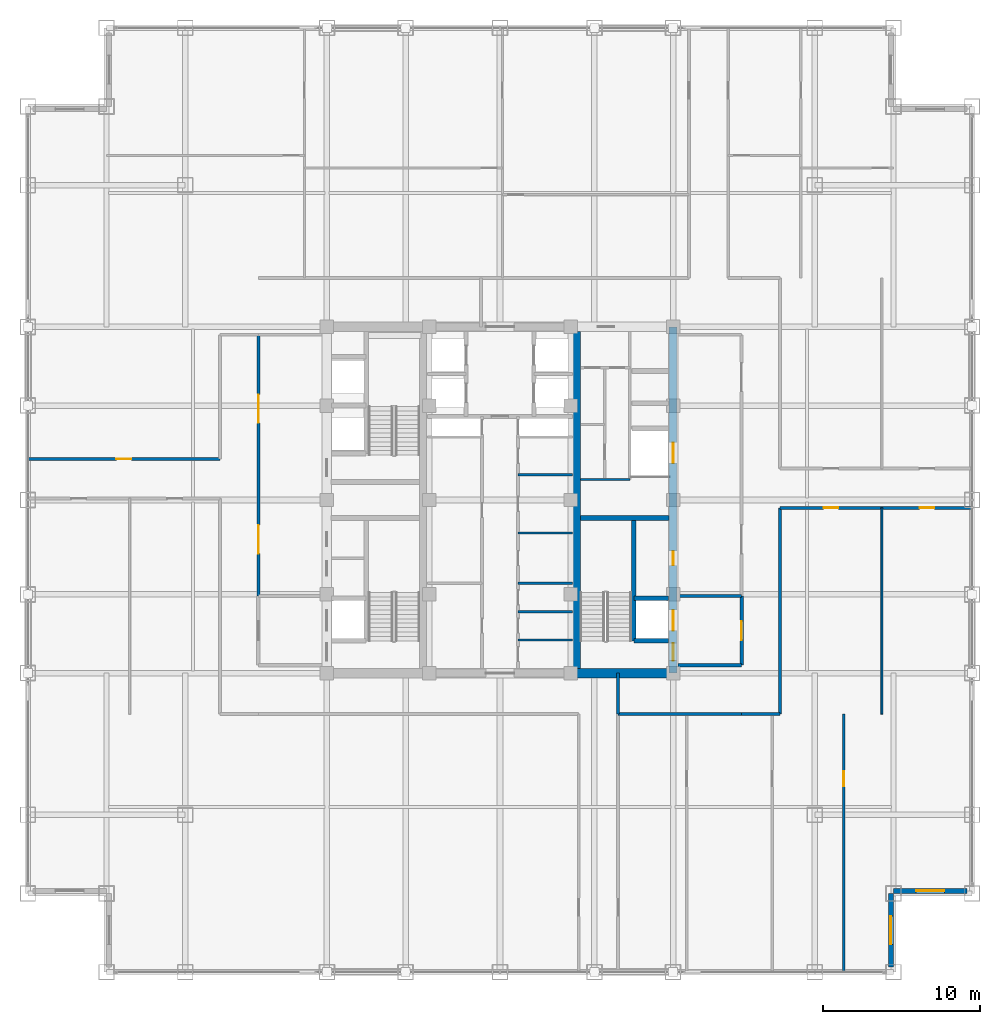
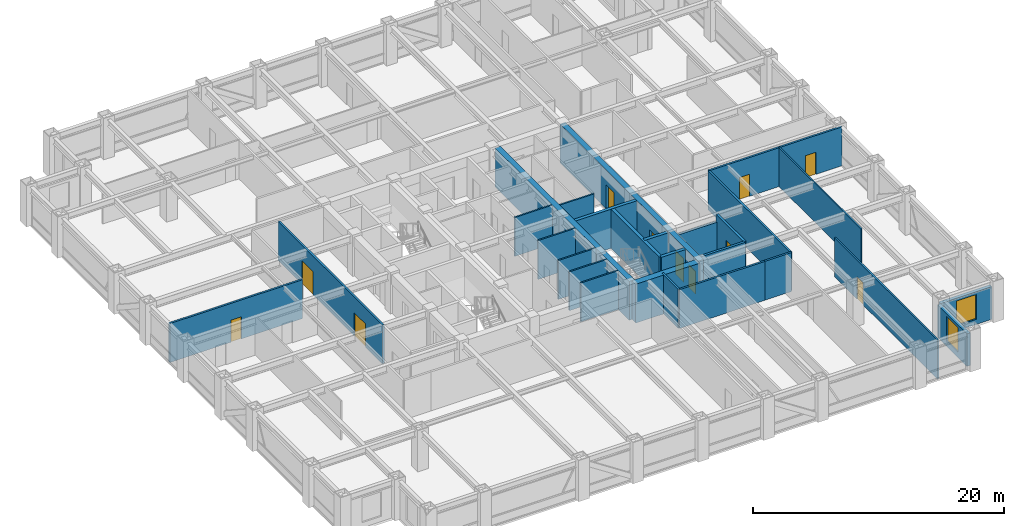
# One storey, part 21 of 25: 27 walls, 11 doors, 2 windows, 13 openings.
"""IFC4 building model written with IfcOpenShell, lengths in metres."""

import ifcopenshell
import ifcopenshell.guid

model = None  # the IFC model being written
_history = None  # IfcOwnerHistory: only IFC2X3 demands one
_inside = {}  # id of a spatial element -> (the spatial element, [elements in it])
_under = {}  # id of a project, library or spatial element -> (it, [spatial elements below it])
_declared = {}  # id of a project -> (the project, [libraries it declares])
_typed = {}  # id of a type object -> (the type object, [elements of that type])
_made_of = {}  # id of a material, layer set ... -> (it, [elements and type objects made of it])


def new_model(schema):
    """Start an empty IFC model of exactly this schema.

    Asked for "IFC4X3", IfcOpenShell would pick the latest addendum, in which some entities
    have other attributes; the version numbers below select the first issue.
    IFC2X3 requires an IfcOwnerHistory on every rooted entity: one is made here for all.
    """
    global model, _history
    if schema == "IFC4X3":
        model = ifcopenshell.file(schema_version=(4, 3, 0, 0))
    else:
        model = ifcopenshell.file(schema=schema)
    _inside.clear()
    _under.clear()
    _declared.clear()
    _typed.clear()
    _made_of.clear()
    _history = None
    if model.schema == "IFC2X3":
        org = make("IfcOrganization", Name="unknown")
        user = make(
            "IfcPersonAndOrganization",
            ThePerson=make("IfcPerson", FamilyName="unknown"),
            TheOrganization=org,
        )
        app = make(
            "IfcApplication",
            ApplicationDeveloper=org,
            Version="unknown",
            ApplicationFullName="unknown",
            ApplicationIdentifier="unknown",
        )
        _history = make(
            "IfcOwnerHistory",
            OwningUser=user,
            OwningApplication=app,
            ChangeAction="ADDED",
            CreationDate=0,
        )
    return model


def make(cls, **values):
    """One entity of the class cls with the attributes given. An attribute that is None is left unset."""
    return model.create_entity(
        cls, **{name: value for name, value in values.items() if value is not None}
    )


def rooted(cls, **values):
    """An entity with a GlobalId (a new one), such as an element, a storey or a relation."""
    return make(cls, GlobalId=ifcopenshell.guid.new(), OwnerHistory=_history, **values)


def si_unit(unit_type, name, prefix=None):
    """IfcSIUnit, for example si_unit("LENGTHUNIT", "METRE", prefix="MILLI")."""
    return make("IfcSIUnit", UnitType=unit_type, Prefix=prefix, Name=name)


def assignment(units):
    """IfcUnitAssignment: the units of a project."""
    return None if units is None else make("IfcUnitAssignment", Units=units)


def point(xyz):
    """IfcCartesianPoint."""
    return None if xyz is None else make("IfcCartesianPoint", Coordinates=xyz)


def direction(xyz):
    """IfcDirection."""
    return None if xyz is None else make("IfcDirection", DirectionRatios=xyz)


def frame(location, z_axis=None, x_axis=None):
    """IfcAxis2Placement3D, a coordinate frame: its origin and axes. An axis left out is left unset."""
    return make(
        "IfcAxis2Placement3D",
        Location=point(location),
        Axis=direction(z_axis),
        RefDirection=direction(x_axis),
    )


def frame_2d(location, x_axis=None):
    """IfcAxis2Placement2D, a coordinate frame in the plane: its origin and x axis."""
    return make(
        "IfcAxis2Placement2D", Location=point(location), RefDirection=direction(x_axis)
    )


def origin():
    """The frame at (0, 0, 0) with its axes left unset."""
    return frame((0.0, 0.0, 0.0))


def place(relative_to, where):
    """IfcLocalPlacement: puts the frame where relative to a parent placement (None: the world)."""
    return make(
        "IfcLocalPlacement", PlacementRelTo=relative_to, RelativePlacement=where
    )


def context(
    kind, dimensions, precision=None, world=None, true_north=None, identifier=None
):
    """IfcGeometricRepresentationContext, for example the 3D "Model" context."""
    return make(
        "IfcGeometricRepresentationContext",
        ContextIdentifier=identifier,
        ContextType=kind,
        CoordinateSpaceDimension=dimensions,
        Precision=precision,
        WorldCoordinateSystem=world,
        TrueNorth=true_north,
    )


def subcontext(parent, identifier, kind, view, scale=None):
    """IfcGeometricRepresentationSubContext, for example "Body" below "Model"."""
    return make(
        "IfcGeometricRepresentationSubContext",
        ContextIdentifier=identifier,
        ContextType=kind,
        ParentContext=parent,
        TargetScale=scale,
        TargetView=view,
    )


def project(units=None, contexts=None):
    """IfcProject with its units and contexts."""
    return rooted(
        "IfcProject",
        Name="project",
        RepresentationContexts=contexts,
        UnitsInContext=assignment(units),
    )


def spatial(cls, under=None, at=None, **own):
    """A site, building, storey or space (cls), placed at a placement, below another one or the project."""
    s = rooted(cls, ObjectPlacement=at, **own)
    if under is not None:
        _under.setdefault(under.id(), (under, []))[1].append(s)
    return s


def profile(cls, at=None, kind="AREA", **sizes):
    """A parametric profile (cls). Its sizes go by their IFC names, for example OverallWidth=200.0."""
    return make(cls, ProfileType=kind, Position=at, **sizes)


def rectangle(**sizes):
    """IfcRectangleProfileDef."""
    return profile("IfcRectangleProfileDef", **sizes)


def extrude(swept, where, along, depth):
    """IfcExtrudedAreaSolid: the profile swept, set in the frame where, extruded along a direction by depth."""
    return make(
        "IfcExtrudedAreaSolid",
        SweptArea=swept,
        Position=where,
        ExtrudedDirection=direction(along),
        Depth=depth,
    )


def shape(context_of_items, identifier, shape_type, items):
    """IfcShapeRepresentation: the items that make up one representation, for example the "Body"."""
    return make(
        "IfcShapeRepresentation",
        ContextOfItems=context_of_items,
        RepresentationIdentifier=identifier,
        RepresentationType=shape_type,
        Items=items,
    )


def source(mapping_origin, context_of_items, identifier, shape_type, items):
    """IfcRepresentationMap: a shape defined once, which mapped items show again and again."""
    return make(
        "IfcRepresentationMap",
        MappingOrigin=mapping_origin,
        MappedRepresentation=shape(context_of_items, identifier, shape_type, items),
    )


def transform(
    local_origin,
    x_axis=None,
    y_axis=None,
    z_axis=None,
    scale=None,
    scale2=None,
    scale3=None,
    uniform=True,
):
    """IfcCartesianTransformationOperator3D, or its non-uniform kind. x_axis, y_axis, z_axis: its Axis1, 2, 3."""
    if uniform:
        return make(
            "IfcCartesianTransformationOperator3D",
            Axis1=direction(x_axis),
            Axis2=direction(y_axis),
            LocalOrigin=point(local_origin),
            Scale=scale,
            Axis3=direction(z_axis),
        )
    return make(
        "IfcCartesianTransformationOperator3DnonUniform",
        Axis1=direction(x_axis),
        Axis2=direction(y_axis),
        LocalOrigin=point(local_origin),
        Scale=scale,
        Axis3=direction(z_axis),
        Scale2=scale2,
        Scale3=scale3,
    )


def mapped(mapping_source, mapping_target):
    """IfcMappedItem: shows the shape of a source again, moved by a transform."""
    return make(
        "IfcMappedItem", MappingSource=mapping_source, MappingTarget=mapping_target
    )


def material(Name=None, Category=None):
    """IfcMaterial."""
    return make("IfcMaterial", Name=Name, Category=Category)


def layer(
    of_material, thickness, ventilated=None, Name=None, Category=None, Priority=None
):
    """IfcMaterialLayer: one layer of a wall or slab, of a material (None: an air gap)."""
    return make(
        "IfcMaterialLayer",
        Material=of_material,
        LayerThickness=thickness,
        IsVentilated=ventilated,
        Name=Name,
        Category=Category,
        Priority=Priority,
    )


def layer_set(layers, Name=None):
    """IfcMaterialLayerSet."""
    return make("IfcMaterialLayerSet", MaterialLayers=layers, LayerSetName=Name)


def made_of(thing, what):
    """Note that an element or type object is made of a material, layer set ...; save() writes the relation."""
    if what is not None:
        _made_of.setdefault(what.id(), (what, []))[1].append(thing)
    return thing


def type_object(cls, material=None, **own):
    """A type object (cls), such as IfcWallType, which elements share."""
    return made_of(rooted(cls, **own), material)


def element(
    cls,
    number,
    at=None,
    inside=None,
    cuts=None,
    type_object=None,
    material=None,
    context=None,
    identifier="Body",
    shape_type=None,
    held_by="IfcProductDefinitionShape",
    body=None,
    shapes=None,
    **own,
):
    """One element of the class cls, such as IfcWall. Its Tag is "e" and its number.

    at: its placement. inside: the storey or other place that contains it. cuts: it is an
    opening in that element (IfcRelVoidsElement). A single representation is given by context,
    identifier, shape_type and body (its items); several are given by shapes. held_by: the class
    of the entity that holds the representations. save() writes the other relations.
    """
    e = rooted(cls, Tag="e%d" % number, ObjectPlacement=at, **own)
    if body is not None:
        shapes = [shape(context, identifier, shape_type, body)]
    if shapes is not None:
        e.Representation = make(held_by, Representations=shapes)
    if inside is not None:
        _inside.setdefault(inside.id(), (inside, []))[1].append(e)
    if cuts is not None:
        rooted(
            "IfcRelVoidsElement", RelatingBuildingElement=cuts, RelatedOpeningElement=e
        )
    if type_object is not None:
        _typed.setdefault(type_object.id(), (type_object, []))[1].append(e)
    return made_of(e, material)


def fill(opening, filler):
    """IfcRelFillsElement: the door or window that sits in an opening."""
    return rooted(
        "IfcRelFillsElement",
        RelatingOpeningElement=opening,
        RelatedBuildingElement=filler,
    )


def aggregate(whole, parts):
    """IfcRelAggregates: a whole, such as a stair, and the parts it consists of."""
    return rooted("IfcRelAggregates", RelatingObject=whole, RelatedObjects=parts)


def save(model, path):
    """Write the relations noted so far, then the file.

    IfcRelAggregates (storeys below a building ...), IfcRelContainedInSpatialStructure (elements
    in a storey), IfcRelDefinesByType, IfcRelAssociatesMaterial and IfcRelDeclares: one each for
    every whole, place, type object, material and project.
    """
    for whole, parts in _under.values():
        aggregate(whole, parts)
    for where, things in _inside.values():
        rooted(
            "IfcRelContainedInSpatialStructure",
            RelatedElements=things,
            RelatingStructure=where,
        )
    for kind, things in _typed.values():
        rooted("IfcRelDefinesByType", RelatedObjects=things, RelatingType=kind)
    for what, things in _made_of.values():
        rooted("IfcRelAssociatesMaterial", RelatedObjects=things, RelatingMaterial=what)
    for by, libraries in _declared.values():
        rooted("IfcRelDeclares", RelatingContext=by, RelatedDefinitions=libraries)
    model.write(path)


model = new_model("IFC4")

# Units and contexts
model_context = context("Model", 3, precision=1e-05, world=origin(), true_north=direction((0.0, 1.0)))
body_context = subcontext(model_context, "Body", "Model", "MODEL_VIEW")
ifc_project = project(units=[si_unit("LENGTHUNIT", "METRE"), si_unit("AREAUNIT", "SQUARE_METRE"), si_unit("VOLUMEUNIT", "CUBIC_METRE"), si_unit("PLANEANGLEUNIT", "RADIAN"), si_unit("MASSUNIT", "GRAM", prefix="KILO")], contexts=[model_context])

# Site, building, storey
site_placement = place(None, origin())
site = spatial("IfcSite", under=ifc_project, at=site_placement, CompositionType="ELEMENT")
building_placement = place(site_placement, origin())
building = spatial("IfcBuilding", under=site, at=building_placement, Name="Khorayat Bourse Tower", CompositionType="ELEMENT")
storey_placement = place(building_placement, frame((0.0, 0.0, 227.10009765625)))
storey = spatial("IfcBuildingStorey", under=building, at=storey_placement, Name="L53", CompositionType="ELEMENT", Elevation=227.10009765625)

# Wall
ifc_material_1 = material(Name="Concrete C52/65", Category="concrete")
ifc_layer_1 = layer(ifc_material_1, 0.5)
ifc_layer_set_1 = layer_set([ifc_layer_1], Name="Concrete C52/65")
wall_type_1 = type_object("IfcWallType", Name="WAL-CORE-500", PredefinedType="SHEAR", material=ifc_layer_set_1)
shared_shape_1 = source(origin(), body_context, "Body", "SweptSolid", [
    extrude(rectangle(XDim=21.39990234375, YDim=0.5, at=frame_2d((10.699951171875, 0.0))), origin(), (0.0, 0.0, 1.0), 3.77978515625),
])
wall_1_placement = place(storey_placement, frame((4.85009765625, -10.699951171875, 0.0), z_axis=(0.0, 0.0, 1.0), x_axis=(0.0, 1.0, 0.0)))
element("IfcWall", 1, at=wall_1_placement, inside=storey, type_object=wall_type_1, Name="L53 Core Shear Wall PIER-E", PredefinedType="SHEAR", context=body_context, shape_type="MappedRepresentation", body=[
    mapped(shared_shape_1, transform((0.0, 0.0, 0.0), scale=1.0)),
])

# Wall, openings, doors
shared_shape_2 = source(origin(), body_context, "Body", "SweptSolid", [
    extrude(rectangle(XDim=22.0, YDim=0.5, at=frame_2d((11.0, 0.0))), origin(), (0.0, 0.0, 1.0), 3.77978515625),
])
wall_2_placement = place(storey_placement, frame((11.0, -11.0, 0.0), z_axis=(0.0, 0.0, 1.0), x_axis=(0.0, 1.0, 0.0)))
wall_2 = element("IfcWall", 2, at=wall_2_placement, inside=storey, type_object=wall_type_1, Name="L53 Core Shear Wall CORE-E", PredefinedType="SHEAR", context=body_context, shape_type="MappedRepresentation", body=[
    mapped(shared_shape_2, transform((0.0, 0.0, 0.0), scale=1.0)),
])
shared_shape_3 = source(origin(), body_context, "Body", "SweptSolid", [
    extrude(rectangle(XDim=1.10009765625, YDim=2.199951171875, at=frame_2d((0.550048828125, 1.10009765625))), frame((0.0, 0.260009765625, 0.0), z_axis=(0.0, -1.0, 0.0), x_axis=(1.0, 0.0, 0.0)), (0.0, 0.0, 1.0), 0.52001953125),
])
opening_1_placement = place(wall_2_placement, frame((0.800048828125, 0.0, 0.0)))
opening_1 = element("IfcOpeningElement", 3, at=opening_1_placement, cuts=wall_2, Name="Opening DI-01", PredefinedType="OPENING", context=body_context, shape_type="MappedRepresentation", body=[
    mapped(shared_shape_3, transform((0.0, 0.0, 0.0), scale=1.0)),
])
shared_shape_4 = source(origin(), body_context, "Body", "SweptSolid", [
    extrude(rectangle(XDim=0.89990234375, YDim=2.14990234375, at=frame_2d((0.449951171875, 1.074951171875))), frame((0.0, 0.260009765625, 0.0), z_axis=(0.0, -1.0, 0.0), x_axis=(1.0, 0.0, 0.0)), (0.0, 0.0, 1.0), 0.52001953125),
])
opening_2_placement = place(wall_2_placement, frame((6.85009765625, 0.0, 0.0)))
opening_2 = element("IfcOpeningElement", 4, at=opening_2_placement, cuts=wall_2, Name="Opening DI-06", PredefinedType="OPENING", context=body_context, shape_type="MappedRepresentation", body=[
    mapped(shared_shape_4, transform((0.0, 0.0, 0.0), scale=1.0)),
])
shared_shape_5 = source(origin(), body_context, "Body", "SweptSolid", [
    extrude(rectangle(XDim=1.300048828125, YDim=2.300048828125, at=frame_2d((0.64990234375, 1.14990234375))), frame((0.0, 0.260009765625, 0.0), z_axis=(0.0, -1.0, 0.0), x_axis=(1.0, 0.0, 0.0)), (0.0, 0.0, 1.0), 0.52001953125),
])
opening_3_placement = place(wall_2_placement, frame((2.699951171875, 0.0, 0.0)))
opening_3 = element("IfcOpeningElement", 5, at=opening_3_placement, cuts=wall_2, Name="Opening LD-02", PredefinedType="OPENING", context=body_context, shape_type="MappedRepresentation", body=[
    mapped(shared_shape_5, transform((0.0, 0.0, 0.0), scale=1.0)),
])
opening_4_placement = place(wall_2_placement, frame((13.35009765625, 0.0, 0.0)))
opening_4 = element("IfcOpeningElement", 6, at=opening_4_placement, cuts=wall_2, Name="Opening LD-02", PredefinedType="OPENING", context=body_context, shape_type="MappedRepresentation", body=[
    mapped(shared_shape_5, transform((0.0, 0.0, 0.0), scale=1.0)),
])
ifc_material_2 = material(Name="Fire-rated steel acoustic leaf", Category="steel")
door_type_1 = type_object("IfcDoorType", Name="DR-INT-STAIR-1100", OperationType="NOTDEFINED", PredefinedType="DOOR", material=ifc_material_2)
shared_shape_6 = source(origin(), body_context, "Body", "SweptSolid", [
    extrude(rectangle(XDim=1.10009765625, YDim=2.199951171875, at=frame_2d((0.550048828125, 1.10009765625))), frame((0.0, 0.02490234375, 0.0), z_axis=(0.0, -1.0, 0.0), x_axis=(1.0, 0.0, 0.0)), (0.0, 0.0, 1.0), 0.050048828125),
])
door_1_placement = place(opening_1_placement, origin())
door_1 = element("IfcDoor", 7, at=door_1_placement, inside=storey, type_object=door_type_1, Name="L53 Exit Stair 3 Door", OperationType="SINGLE_SWING_LEFT", OverallHeight=2.199951171875, OverallWidth=1.10009765625, PredefinedType="DOOR", context=body_context, shape_type="MappedRepresentation", body=[
    mapped(shared_shape_6, transform((0.0, 0.0, 0.0), scale=1.0)),
])
fill(opening_1, door_1)
ifc_material_3 = material(Name="Moisture-resistant laminate washroom door")
door_type_2 = type_object("IfcDoorType", Name="DR-INT-WC-900", OperationType="NOTDEFINED", PredefinedType="DOOR", material=ifc_material_3)
shared_shape_7 = source(origin(), body_context, "Body", "SweptSolid", [
    extrude(rectangle(XDim=0.89990234375, YDim=2.14990234375, at=frame_2d((0.449951171875, 1.074951171875))), frame((0.0, 0.02490234375, 0.0), z_axis=(0.0, -1.0, 0.0), x_axis=(1.0, 0.0, 0.0)), (0.0, 0.0, 1.0), 0.050048828125),
])
door_2_placement = place(opening_2_placement, origin())
door_2 = element("IfcDoor", 8, at=door_2_placement, inside=storey, type_object=door_type_2, Name="L53 Telecom Server Plant Room Door", OperationType="SINGLE_SWING_LEFT", OverallHeight=2.14990234375, OverallWidth=0.89990234375, PredefinedType="DOOR", context=body_context, shape_type="MappedRepresentation", body=[
    mapped(shared_shape_7, transform((0.0, 0.0, 0.0), scale=1.0)),
])
fill(opening_2, door_2)
ifc_material_4 = material(Name="Fire-rated stainless-steel sliding landing door", Category="steel")
door_type_3 = type_object("IfcDoorType", Name="DR-LIFT-FF-1300", OperationType="NOTDEFINED", PredefinedType="DOOR", material=ifc_material_4)
shared_shape_8 = source(origin(), body_context, "Body", "SweptSolid", [
    extrude(rectangle(XDim=1.300048828125, YDim=2.300048828125, at=frame_2d((0.64990234375, 1.14990234375))), frame((0.0, 0.02490234375, 0.0), z_axis=(0.0, -1.0, 0.0), x_axis=(1.0, 0.0, 0.0)), (0.0, 0.0, 1.0), 0.050048828125),
])
door_3_placement = place(opening_3_placement, origin())
door_3 = element("IfcDoor", 9, at=door_3_placement, inside=storey, type_object=door_type_3, Name="L53 Lift FFL-02 Sliding Landing Door", OperationType="SLIDING_TO_LEFT", OverallHeight=2.300048828125, OverallWidth=1.300048828125, PredefinedType="DOOR", context=body_context, shape_type="MappedRepresentation", body=[
    mapped(shared_shape_8, transform((0.0, 0.0, 0.0), scale=1.0)),
])
fill(opening_3, door_3)
door_4_placement = place(opening_4_placement, origin())
door_4 = element("IfcDoor", 10, at=door_4_placement, inside=storey, type_object=door_type_3, Name="L53 Lift SVL-01 Sliding Landing Door", OperationType="SLIDING_TO_LEFT", OverallHeight=2.300048828125, OverallWidth=1.300048828125, PredefinedType="DOOR", context=body_context, shape_type="MappedRepresentation", body=[
    mapped(shared_shape_8, transform((0.0, 0.0, 0.0), scale=1.0)),
])
fill(opening_4, door_4)

# Walls
ifc_material_5 = material(Name="Concrete C60/75", Category="concrete")
ifc_layer_2 = layer(ifc_material_5, 0.60009765625)
ifc_layer_set_2 = layer_set([ifc_layer_2], Name="Concrete C60/75")
wall_type_2 = type_object("IfcWallType", Name="WAL-CORE-600", PredefinedType="SHEAR", material=ifc_layer_set_2)
shared_shape_9 = source(origin(), body_context, "Body", "SweptSolid", [
    extrude(rectangle(XDim=5.89990234375, YDim=0.60009765625, at=frame_2d((2.949951171875, 0.0))), origin(), (0.0, 0.0, 1.0), 3.77978515625),
])
wall_3_placement = place(storey_placement, frame((4.85009765625, -11.0, 0.0), z_axis=(0.0, 0.0, 1.0), x_axis=(1.0, 0.0, 0.0)))
element("IfcWall", 11, at=wall_3_placement, inside=storey, type_object=wall_type_2, Name="L53 Core Shear Wall PIER-ES", PredefinedType="SHEAR", context=body_context, shape_type="MappedRepresentation", body=[
    mapped(shared_shape_9, transform((0.0, 0.0, 0.0), scale=1.0)),
])
ifc_material_6 = material(Name="Concrete C50/60", Category="concrete")
ifc_layer_3 = layer(ifc_material_6, 0.300048828125)
ifc_layer_set_3 = layer_set([ifc_layer_3], Name="Concrete C50/60")
wall_type_3 = type_object("IfcWallType", Name="WAL-SHAFT-300", PredefinedType="SHEAR", material=ifc_layer_set_3)
shared_shape_10 = source(origin(), body_context, "Body", "SweptSolid", [
    extrude(rectangle(XDim=5.64990234375, YDim=0.300048828125, at=frame_2d((2.824951171875, 0.0))), origin(), (0.0, 0.0, 1.0), 3.77978515625),
])
wall_4_placement = place(storey_placement, frame((5.10009765625, -1.14990234375, 0.0), z_axis=(0.0, 0.0, 1.0), x_axis=(1.0, 0.0, 0.0)))
element("IfcWall", 12, at=wall_4_placement, inside=storey, type_object=wall_type_3, Name="L53 Core Shear Wall ST3-DIV", PredefinedType="SHEAR", context=body_context, shape_type="MappedRepresentation", body=[
    mapped(shared_shape_10, transform((0.0, 0.0, 0.0), scale=1.0)),
])

# Wall, opening, window
ifc_material_7 = material(Name="Precast concrete C45/55", Category="concrete")
ifc_layer_4 = layer(ifc_material_7, 0.320068359375)
ifc_layer_set_4 = layer_set([ifc_layer_4], Name="Precast concrete C45/55")
wall_type_4 = type_object("IfcWallType", Name="WAL-EXT-STONE-320", PredefinedType="STANDARD", material=ifc_layer_set_4)
shared_shape_11 = source(origin(), body_context, "Body", "SweptSolid", [
    extrude(rectangle(XDim=4.679931640625, YDim=0.320068359375, at=frame_2d((2.33984375, 0.0))), origin(), (0.0, 0.0, 1.0), 3.163818359375),
])
wall_5_placement = place(storey_placement, frame((24.840087890625, -29.679931640625, 0.0), z_axis=(0.0, 0.0, 1.0), x_axis=(0.0, 1.0, 0.0)))
wall_5 = element("IfcWall", 13, at=wall_5_placement, inside=storey, type_object=wall_type_4, Name="L53 Re-Entrant Notch Limestone Wall SE-V", PredefinedType="STANDARD", context=body_context, shape_type="MappedRepresentation", body=[
    mapped(shared_shape_11, transform((0.0, 0.0, 0.0), scale=1.0)),
])
shared_shape_12 = source(origin(), body_context, "Body", "SweptSolid", [
    extrude(rectangle(XDim=1.800048828125, YDim=2.39990234375, at=frame_2d((0.89990234375, 1.199951171875))), frame((0.0, 0.169921875, 0.0), z_axis=(0.0, -1.0, 0.0), x_axis=(1.0, 0.0, 0.0)), (0.0, 0.0, 1.0), 0.340087890625),
])
opening_5_placement = place(wall_5_placement, frame((1.43994140625, 0.0, 0.5)))
opening_5 = element("IfcOpeningElement", 14, at=opening_5_placement, cuts=wall_5, Name="Opening WN-04", PredefinedType="OPENING", context=body_context, shape_type="MappedRepresentation", body=[
    mapped(shared_shape_12, transform((0.0, 0.0, 0.0), scale=1.0)),
])
ifc_material_8 = material(Name="Low-E acoustic laminated double glazing", Category="glass")
window_type = type_object("IfcWindowType", Name="WIN-NOTCH-1800x2400", PartitioningType="SINGLE_PANEL", PredefinedType="WINDOW", material=ifc_material_8)
shared_shape_13 = source(origin(), body_context, "Body", "SweptSolid", [
    extrude(rectangle(XDim=1.800048828125, YDim=2.39990234375, at=frame_2d((0.89990234375, 1.199951171875))), frame((0.0, 0.030029296875, 0.0), z_axis=(0.0, -1.0, 0.0), x_axis=(1.0, 0.0, 0.0)), (0.0, 0.0, 1.0), 0.06005859375),
])
window_1_placement = place(opening_5_placement, origin())
window_1 = element("IfcWindow", 15, at=window_1_placement, inside=storey, type_object=window_type, Name="L53 Facade Window 1", OverallHeight=2.39990234375, OverallWidth=1.800048828125, PartitioningType="SINGLE_PANEL", PredefinedType="WINDOW", context=body_context, shape_type="MappedRepresentation", body=[
    mapped(shared_shape_13, transform((0.0, 0.0, 0.0), scale=1.0)),
])
fill(opening_5, window_1)

wall_6_placement = place(storey_placement, frame((25.0, -24.840087890625, 0.0), z_axis=(0.0, 0.0, 1.0), x_axis=(1.0, 0.0, 0.0)))
wall_6 = element("IfcWall", 16, at=wall_6_placement, inside=storey, type_object=wall_type_4, Name="L53 Re-Entrant Notch Limestone Wall SE-H", PredefinedType="STANDARD", context=body_context, shape_type="MappedRepresentation", body=[
    mapped(shared_shape_11, transform((0.0, 0.0, 0.0), scale=1.0)),
])
opening_6_placement = place(wall_6_placement, frame((1.43994140625, 0.0, 0.5)))
opening_6 = element("IfcOpeningElement", 17, at=opening_6_placement, cuts=wall_6, Name="Opening WN-04", PredefinedType="OPENING", context=body_context, shape_type="MappedRepresentation", body=[
    mapped(shared_shape_12, transform((0.0, 0.0, 0.0), scale=1.0)),
])
window_2_placement = place(opening_6_placement, origin())
window_2 = element("IfcWindow", 18, at=window_2_placement, inside=storey, type_object=window_type, Name="L53 Facade Window 1", OverallHeight=2.39990234375, OverallWidth=1.800048828125, PartitioningType="SINGLE_PANEL", PredefinedType="WINDOW", context=body_context, shape_type="MappedRepresentation", body=[
    mapped(shared_shape_13, transform((0.0, 0.0, 0.0), scale=1.0)),
])
fill(opening_6, window_2)

# Walls
ifc_material_9 = material(Name="Aerated concrete blockwork", Category="masonry")
ifc_layer_5 = layer(ifc_material_9, 0.219970703125)
ifc_layer_set_5 = layer_set([ifc_layer_5], Name="Aerated concrete blockwork")
wall_type_5 = type_object("IfcWallType", Name="WAL-PART-FF-220", PredefinedType="PARTITIONING", material=ifc_layer_set_5)
shared_shape_14 = source(origin(), body_context, "Body", "SweptSolid", [
    extrude(rectangle(XDim=4.050048828125, YDim=0.219970703125, at=frame_2d((2.02490234375, 0.0))), origin(), (0.0, 0.0, 1.0), 3.0849609375),
])
wall_7_placement = place(storey_placement, frame((11.300048828125, -6.10009765625, 0.0), z_axis=(0.0, 0.0, 1.0), x_axis=(1.0, 0.0, 0.0)))
element("IfcWall", 19, at=wall_7_placement, inside=storey, type_object=wall_type_5, Name="L53 Partition WAL-L53-FFLE-N", PredefinedType="PARTITIONING", context=body_context, shape_type="MappedRepresentation", body=[
    mapped(shared_shape_14, transform((0.0, 0.0, 0.0), scale=1.0)),
])
shared_shape_15 = source(origin(), body_context, "Body", "SweptSolid", [
    extrude(rectangle(XDim=7.800048828125, YDim=0.300048828125, at=frame_2d((3.89990234375, 0.0))), origin(), (0.0, 0.0, 1.0), 3.77978515625),
])
wall_8_placement = place(storey_placement, frame((8.5, -8.949951171875, 0.0), z_axis=(0.0, 0.0, 1.0), x_axis=(0.0, 1.0, 0.0)))
element("IfcWall", 20, at=wall_8_placement, inside=storey, type_object=wall_type_3, Name="L53 Partition WAL-L53-EPIER-SP", PredefinedType="SHEAR", context=body_context, shape_type="MappedRepresentation", body=[
    mapped(shared_shape_15, transform((0.0, 0.0, 0.0), scale=1.0)),
])
shared_shape_16 = source(origin(), body_context, "Body", "SweptSolid", [
    extrude(rectangle(XDim=2.199951171875, YDim=0.300048828125, at=frame_2d((1.10009765625, 0.0))), origin(), (0.0, 0.0, 1.0), 3.77978515625),
])
for number, where, z_axis, x_axis, name in (
    (21, (8.5, -8.949951171875, 0.0), (0.0, 0.0, 1.0), (1.0, 0.0, 0.0), "L53 Partition WAL-L53-EPIER-FF2S"),
    (22, (8.5, -6.25, 0.0), (0.0, 0.0, 1.0), (1.0, 0.0, 0.0), "L53 Partition WAL-L53-EPIER-FF2N"),
):
    element("IfcWall", number, at=place(storey_placement, frame(where, z_axis=z_axis, x_axis=x_axis)), inside=storey, type_object=wall_type_3, Name=name, PredefinedType="SHEAR", context=body_context, shape_type="MappedRepresentation", body=[
        mapped(shared_shape_16, transform((0.0, 0.0, 0.0), scale=1.0)),
    ])
ifc_material_10 = material(Name="Moisture-resistant masonry partition", Category="masonry")
ifc_layer_6 = layer(ifc_material_10, 0.139892578125)
ifc_layer_set_6 = layer_set([ifc_layer_6], Name="Moisture-resistant masonry partition")
wall_type_6 = type_object("IfcWallType", Name="WAL-PART-WET-140", PredefinedType="PARTITIONING", material=ifc_layer_set_6)
shared_shape_17 = source(origin(), body_context, "Body", "SweptSolid", [
    extrude(rectangle(XDim=3.14990234375, YDim=0.139892578125, at=frame_2d((1.574951171875, 0.0))), origin(), (0.0, 0.0, 1.0), 3.77978515625),
])
wall_9_placement = place(storey_placement, frame((5.10009765625, 1.300048828125, 0.0), z_axis=(0.0, 0.0, 1.0), x_axis=(1.0, 0.0, 0.0)))
element("IfcWall", 23, at=wall_9_placement, inside=storey, type_object=wall_type_6, Name="L53 Partition WAL-L53-ECORE-S", PredefinedType="PARTITIONING", context=body_context, shape_type="MappedRepresentation", body=[
    mapped(shared_shape_17, transform((0.0, 0.0, 0.0), scale=1.0)),
])
shared_shape_18 = source(origin(), body_context, "Body", "SweptSolid", [
    extrude(rectangle(XDim=4.050048828125, YDim=0.219970703125, at=frame_2d((2.02490234375, 0.0))), origin(), (0.0, 0.0, 1.0), 3.77978515625),
])
wall_10_placement = place(storey_placement, frame((11.300048828125, -10.5, 0.0), z_axis=(0.0, 0.0, 1.0), x_axis=(1.0, 0.0, 0.0)))
element("IfcWall", 24, at=wall_10_placement, inside=storey, type_object=wall_type_5, Name="L53 Partition WAL-L53-FFLE-S", PredefinedType="PARTITIONING", context=body_context, shape_type="MappedRepresentation", body=[
    mapped(shared_shape_18, transform((0.0, 0.0, 0.0), scale=1.0)),
])

# Wall, opening, door
shared_shape_19 = source(origin(), body_context, "Body", "SweptSolid", [
    extrude(rectangle(XDim=4.39990234375, YDim=0.219970703125, at=frame_2d((2.199951171875, 0.0))), origin(), (0.0, 0.0, 1.0), 3.77978515625),
])
wall_11_placement = place(storey_placement, frame((15.35009765625, -10.5, 0.0), z_axis=(0.0, 0.0, 1.0), x_axis=(0.0, 1.0, 0.0)))
wall_11 = element("IfcWall", 25, at=wall_11_placement, inside=storey, type_object=wall_type_5, Name="L53 Partition WAL-L53-FFLE-E", PredefinedType="PARTITIONING", context=body_context, shape_type="MappedRepresentation", body=[
    mapped(shared_shape_19, transform((0.0, 0.0, 0.0), scale=1.0)),
])
shared_shape_20 = source(origin(), body_context, "Body", "SweptSolid", [
    extrude(rectangle(XDim=1.199951171875, YDim=2.199951171875, at=frame_2d((0.60009765625, 1.10009765625))), frame((0.0, 0.119873046875, 0.0), z_axis=(0.0, -1.0, 0.0), x_axis=(1.0, 0.0, 0.0)), (0.0, 0.0, 1.0), 0.239990234375),
])
opening_7_placement = place(wall_11_placement, frame((1.60009765625, 0.0, 0.0)))
opening_7 = element("IfcOpeningElement", 26, at=opening_7_placement, cuts=wall_11, Name="Opening DI-02", PredefinedType="OPENING", context=body_context, shape_type="MappedRepresentation", body=[
    mapped(shared_shape_20, transform((0.0, 0.0, 0.0), scale=1.0)),
])
ifc_material_11 = material(Name="Fire-rated steel double-seal leaf", Category="steel")
door_type_4 = type_object("IfcDoorType", Name="DR-INT-FFLOBBY-1200", OperationType="NOTDEFINED", PredefinedType="DOOR", material=ifc_material_11)
shared_shape_21 = source(origin(), body_context, "Body", "SweptSolid", [
    extrude(rectangle(XDim=1.199951171875, YDim=2.199951171875, at=frame_2d((0.60009765625, 1.10009765625))), frame((0.0, 0.02490234375, 0.0), z_axis=(0.0, -1.0, 0.0), x_axis=(1.0, 0.0, 0.0)), (0.0, 0.0, 1.0), 0.050048828125),
])
door_5_placement = place(opening_7_placement, origin())
door_5 = element("IfcDoor", 27, at=door_5_placement, inside=storey, type_object=door_type_4, Name="L53 East Firefighting Lobby Door", OperationType="SINGLE_SWING_RIGHT", OverallHeight=2.199951171875, OverallWidth=1.199951171875, PredefinedType="DOOR", context=body_context, shape_type="MappedRepresentation", body=[
    mapped(shared_shape_21, transform((0.0, 0.0, 0.0), scale=1.0)),
])
fill(opening_7, door_5)

# Wall, openings, doors
ifc_material_12 = material(Name="Gypsum plasterboard acoustic stud wall")
ifc_layer_7 = layer(ifc_material_12, 0.179931640625)
ifc_layer_set_7 = layer_set([ifc_layer_7], Name="Gypsum plasterboard acoustic stud wall")
wall_type_7 = type_object("IfcWallType", Name="WAL-PART-CORR-180", PredefinedType="PARTITIONING", material=ifc_layer_set_7)
shared_shape_22 = source(origin(), body_context, "Body", "SweptSolid", [
    extrude(rectangle(XDim=16.60009765625, YDim=0.179931640625, at=frame_2d((8.300048828125, 0.0))), origin(), (0.0, 0.0, 1.0), 3.77978515625),
])
wall_12_placement = place(storey_placement, frame((-15.35009765625, -6.10009765625, 0.0), z_axis=(0.0, 0.0, 1.0), x_axis=(0.0, 1.0, 0.0)))
wall_12 = element("IfcWall", 28, at=wall_12_placement, inside=storey, type_object=wall_type_7, Name="L53 Partition WAL-L53-WLOB-W", PredefinedType="PARTITIONING", context=body_context, shape_type="MappedRepresentation", body=[
    mapped(shared_shape_22, transform((0.0, 0.0, 0.0), scale=1.0)),
])
shared_shape_23 = source(origin(), body_context, "Body", "SweptSolid", [
    extrude(rectangle(XDim=1.800048828125, YDim=2.25, at=frame_2d((0.89990234375, 1.125))), frame((0.0, 0.099853515625, 0.0), z_axis=(0.0, -1.0, 0.0), x_axis=(1.0, 0.0, 0.0)), (0.0, 0.0, 1.0), 0.199951171875),
])
opening_8_placement = place(wall_12_placement, frame((2.699951171875, 0.0, 0.0)))
opening_8 = element("IfcOpeningElement", 29, at=opening_8_placement, cuts=wall_12, Name="Opening DI-03", PredefinedType="OPENING", context=body_context, shape_type="MappedRepresentation", body=[
    mapped(shared_shape_23, transform((0.0, 0.0, 0.0), scale=1.0)),
])
opening_9_placement = place(wall_12_placement, frame((11.0, 0.0, 0.0)))
opening_9 = element("IfcOpeningElement", 30, at=opening_9_placement, cuts=wall_12, Name="Opening DI-03", PredefinedType="OPENING", context=body_context, shape_type="MappedRepresentation", body=[
    mapped(shared_shape_23, transform((0.0, 0.0, 0.0), scale=1.0)),
])
ifc_material_13 = material(Name="Fire-rated hardwood vision-panel double leaf", Category="wood")
door_type_5 = type_object("IfcDoorType", Name="DR-INT-CORR-1800", OperationType="NOTDEFINED", PredefinedType="DOOR", material=ifc_material_13)
shared_shape_24 = source(origin(), body_context, "Body", "SweptSolid", [
    extrude(rectangle(XDim=1.800048828125, YDim=2.25, at=frame_2d((0.89990234375, 1.125))), frame((0.0, 0.02490234375, 0.0), z_axis=(0.0, -1.0, 0.0), x_axis=(1.0, 0.0, 0.0)), (0.0, 0.0, 1.0), 0.050048828125),
])
door_6_placement = place(opening_8_placement, origin())
door_6 = element("IfcDoor", 31, at=door_6_placement, inside=storey, type_object=door_type_5, Name="L53 West Core Lobby South Door", OperationType="SINGLE_SWING_LEFT", OverallHeight=2.25, OverallWidth=1.800048828125, PredefinedType="DOOR", context=body_context, shape_type="MappedRepresentation", body=[
    mapped(shared_shape_24, transform((0.0, 0.0, 0.0), scale=1.0)),
])
fill(opening_8, door_6)
door_7_placement = place(opening_9_placement, origin())
door_7 = element("IfcDoor", 32, at=door_7_placement, inside=storey, type_object=door_type_5, Name="L53 West Core Lobby North Door", OperationType="SINGLE_SWING_RIGHT", OverallHeight=2.25, OverallWidth=1.800048828125, PredefinedType="DOOR", context=body_context, shape_type="MappedRepresentation", body=[
    mapped(shared_shape_24, transform((0.0, 0.0, 0.0), scale=1.0)),
])
fill(opening_9, door_7)

# Walls
ifc_material_14 = material(Name="Gypsum plasterboard twin-frame partition")
ifc_layer_8 = layer(ifc_material_14, 0.14990234375)
ifc_layer_set_8 = layer_set([ifc_layer_8], Name="Gypsum plasterboard twin-frame partition")
wall_type_8 = type_object("IfcWallType", Name="WAL-PART-SUITE-150", PredefinedType="PARTITIONING", material=ifc_layer_set_8)
shared_shape_25 = source(origin(), body_context, "Body", "SweptSolid", [
    extrude(rectangle(XDim=3.4501953125, YDim=0.14990234375, at=frame_2d((1.72509765625, 0.0))), origin(), (0.0, 0.0, 1.0), 3.77978515625),
])
wall_13_placement = place(storey_placement, frame((1.14990234375, -5.300048828125, 0.0), z_axis=(0.0, 0.0, 1.0), x_axis=(1.0, 0.0, 0.0)))
element("IfcWall", 33, at=wall_13_placement, inside=storey, type_object=wall_type_8, Name="L53 Partition WAL-L53-FB1-NE", PredefinedType="PARTITIONING", context=body_context, shape_type="MappedRepresentation", body=[
    mapped(shared_shape_25, transform((0.0, 0.0, 0.0), scale=1.0)),
])
shared_shape_26 = source(origin(), body_context, "Body", "SweptSolid", [
    extrude(rectangle(XDim=3.4501953125, YDim=0.139892578125, at=frame_2d((1.72509765625, 0.0))), origin(), (0.0, 0.0, 1.0), 3.77978515625),
])
for number, where, z_axis, x_axis, name in (
    (34, (1.14990234375, -8.89990234375, 0.0), (0.0, 0.0, 1.0), (1.0, 0.0, 0.0), "L53 Partition WAL-L53-FB1E-D1"),
    (35, (1.14990234375, -7.10009765625, 0.0), (0.0, 0.0, 1.0), (1.0, 0.0, 0.0), "L53 Partition WAL-L53-FB1E-D2"),
    (36, (1.14990234375, -2.10009765625, 0.0), (0.0, 0.0, 1.0), (1.0, 0.0, 0.0), "L53 Partition WAL-L53-CME-D1"),
    (37, (1.14990234375, 1.60009765625, 0.0), (0.0, 0.0, 1.0), (1.0, 0.0, 0.0), "L53 Partition WAL-L53-CME-D2"),
):
    element("IfcWall", number, at=place(storey_placement, frame(where, z_axis=z_axis, x_axis=x_axis)), inside=storey, type_object=wall_type_6, Name=name, PredefinedType="PARTITIONING", context=body_context, shape_type="MappedRepresentation", body=[
        mapped(shared_shape_26, transform((0.0, 0.0, 0.0), scale=1.0)),
    ])
shared_shape_27 = source(origin(), body_context, "Body", "SweptSolid", [
    extrude(rectangle(XDim=2.449951171875, YDim=0.179931640625, at=frame_2d((1.22509765625, 0.0))), origin(), (0.0, 0.0, 1.0), 3.77978515625),
])
wall_14_placement = place(storey_placement, frame((15.35009765625, -13.60009765625, 0.0), z_axis=(0.0, 0.0, 1.0), x_axis=(1.0, 0.0, 0.0)))
element("IfcWall", 38, at=wall_14_placement, inside=storey, type_object=wall_type_7, Name="L53 Partition WAL-L53-C2-ES", PredefinedType="PARTITIONING", context=body_context, shape_type="MappedRepresentation", body=[
    mapped(shared_shape_27, transform((0.0, 0.0, 0.0), scale=1.0)),
])

# Wall, opening, door
shared_shape_28 = source(origin(), body_context, "Body", "SweptSolid", [
    extrude(rectangle(XDim=12.199951171875, YDim=0.179931640625, at=frame_2d((6.10009765625, 0.0))), origin(), (0.0, 0.0, 1.0), 3.77978515625),
])
wall_15_placement = place(storey_placement, frame((-30.0, 2.60009765625, 0.0), z_axis=(0.0, 0.0, 1.0), x_axis=(1.0, 0.0, 0.0)))
wall_15 = element("IfcWall", 39, at=wall_15_placement, inside=storey, type_object=wall_type_7, Name="L53 Partition WAL-L53-WN-SPK", PredefinedType="PARTITIONING", context=body_context, shape_type="MappedRepresentation", body=[
    mapped(shared_shape_28, transform((0.0, 0.0, 0.0), scale=1.0)),
])
shared_shape_29 = source(origin(), body_context, "Body", "SweptSolid", [
    extrude(rectangle(XDim=0.949951171875, YDim=2.14990234375, at=frame_2d((0.47509765625, 1.074951171875))), frame((0.0, 0.099853515625, 0.0), z_axis=(0.0, -1.0, 0.0), x_axis=(1.0, 0.0, 0.0)), (0.0, 0.0, 1.0), 0.199951171875),
])
opening_10_placement = place(wall_15_placement, frame((5.625, 0.0, 0.0)))
opening_10 = element("IfcOpeningElement", 40, at=opening_10_placement, cuts=wall_15, Name="Opening DI-05", PredefinedType="OPENING", context=body_context, shape_type="MappedRepresentation", body=[
    mapped(shared_shape_29, transform((0.0, 0.0, 0.0), scale=1.0)),
])
ifc_material_15 = material(Name="Acoustic oak veneer office door")
door_type_6 = type_object("IfcDoorType", Name="DR-INT-OFFICE-950", OperationType="NOTDEFINED", PredefinedType="DOOR", material=ifc_material_15)
shared_shape_30 = source(origin(), body_context, "Body", "SweptSolid", [
    extrude(rectangle(XDim=0.949951171875, YDim=2.14990234375, at=frame_2d((0.47509765625, 1.074951171875))), frame((0.0, 0.02490234375, 0.0), z_axis=(0.0, -1.0, 0.0), x_axis=(1.0, 0.0, 0.0)), (0.0, 0.0, 1.0), 0.050048828125),
])
door_8_placement = place(opening_10_placement, origin())
door_8 = element("IfcDoor", 41, at=door_8_placement, inside=storey, type_object=door_type_6, Name="L53 Executive Wellness Fitness Gym WN Door", OperationType="SINGLE_SWING_LEFT", OverallHeight=2.14990234375, OverallWidth=0.949951171875, PredefinedType="DOOR", context=body_context, shape_type="MappedRepresentation", body=[
    mapped(shared_shape_30, transform((0.0, 0.0, 0.0), scale=1.0)),
])
fill(opening_10, door_8)

# Wall, openings, doors
wall_16_placement = place(storey_placement, frame((17.800048828125, -0.5, 0.0), z_axis=(0.0, 0.0, 1.0), x_axis=(1.0, 0.0, 0.0)))
wall_16 = element("IfcWall", 42, at=wall_16_placement, inside=storey, type_object=wall_type_7, Name="L53 Partition WAL-L53-ES-SPK", PredefinedType="PARTITIONING", context=body_context, shape_type="MappedRepresentation", body=[
    mapped(shared_shape_28, transform((0.0, 0.0, 0.0), scale=1.0)),
])
opening_11_placement = place(wall_16_placement, frame((2.758056640625, 0.0, 0.0)))
opening_11 = element("IfcOpeningElement", 43, at=opening_11_placement, cuts=wall_16, Name="Opening DI-05", PredefinedType="OPENING", context=body_context, shape_type="MappedRepresentation", body=[
    mapped(shared_shape_29, transform((0.0, 0.0, 0.0), scale=1.0)),
])
opening_12_placement = place(wall_16_placement, frame((8.85791015625, 0.0, 0.0)))
opening_12 = element("IfcOpeningElement", 44, at=opening_12_placement, cuts=wall_16, Name="Opening DI-05", PredefinedType="OPENING", context=body_context, shape_type="MappedRepresentation", body=[
    mapped(shared_shape_29, transform((0.0, 0.0, 0.0), scale=1.0)),
])
door_9_placement = place(opening_11_placement, origin())
door_9 = element("IfcDoor", 45, at=door_9_placement, inside=storey, type_object=door_type_6, Name="L53 Members Club Room ESA Door", OperationType="SINGLE_SWING_LEFT", OverallHeight=2.14990234375, OverallWidth=0.949951171875, PredefinedType="DOOR", context=body_context, shape_type="MappedRepresentation", body=[
    mapped(shared_shape_30, transform((0.0, 0.0, 0.0), scale=1.0)),
])
fill(opening_11, door_9)
door_10_placement = place(opening_12_placement, origin())
door_10 = element("IfcDoor", 46, at=door_10_placement, inside=storey, type_object=door_type_6, Name="L53 Catering Servery Kitchen ESB Door", OperationType="SINGLE_SWING_RIGHT", OverallHeight=2.14990234375, OverallWidth=0.949951171875, PredefinedType="DOOR", context=body_context, shape_type="MappedRepresentation", body=[
    mapped(shared_shape_30, transform((0.0, 0.0, 0.0), scale=1.0)),
])
fill(opening_12, door_10)

# Wall
shared_shape_31 = source(origin(), body_context, "Body", "SweptSolid", [
    extrude(rectangle(XDim=2.60009765625, YDim=0.179931640625, at=frame_2d((1.300048828125, 0.0))), origin(), (0.0, 0.0, 1.0), 3.77978515625),
])
wall_17_placement = place(storey_placement, frame((7.5, -13.60009765625, 0.0), z_axis=(0.0, 0.0, 1.0), x_axis=(0.0, 1.0, 0.0)))
element("IfcWall", 47, at=wall_17_placement, inside=storey, type_object=wall_type_7, Name="L53 Partition WAL-L53-C2-SCE", PredefinedType="PARTITIONING", context=body_context, shape_type="MappedRepresentation", body=[
    mapped(shared_shape_31, transform((0.0, 0.0, 0.0), scale=1.0)),
])

# Wall, opening, door
shared_shape_32 = source(origin(), body_context, "Body", "SweptSolid", [
    extrude(rectangle(XDim=16.39990234375, YDim=0.14990234375, at=frame_2d((8.199951171875, 0.0))), origin(), (0.0, 0.0, 1.0), 3.77978515625),
])
wall_18_placement = place(storey_placement, frame((21.85009765625, -30.0, 0.0), z_axis=(0.0, 0.0, 1.0), x_axis=(0.0, 1.0, 0.0)))
wall_18 = element("IfcWall", 48, at=wall_18_placement, inside=storey, type_object=wall_type_8, Name="L53 Partition WAL-L53-QSEDV-3", PredefinedType="PARTITIONING", context=body_context, shape_type="MappedRepresentation", body=[
    mapped(shared_shape_32, transform((0.0, 0.0, 0.0), scale=1.0)),
])
shared_shape_33 = source(origin(), body_context, "Body", "SweptSolid", [
    extrude(rectangle(XDim=0.949951171875, YDim=2.14990234375, at=frame_2d((0.47509765625, 1.074951171875))), frame((0.0, 0.0849609375, 0.0), z_axis=(0.0, -1.0, 0.0), x_axis=(1.0, 0.0, 0.0)), (0.0, 0.0, 1.0), 0.169921875),
])
opening_13_placement = place(wall_18_placement, frame((11.824951171875, 0.0, 0.0)))
opening_13 = element("IfcOpeningElement", 49, at=opening_13_placement, cuts=wall_18, Name="Opening DI-05", PredefinedType="OPENING", context=body_context, shape_type="MappedRepresentation", body=[
    mapped(shared_shape_33, transform((0.0, 0.0, 0.0), scale=1.0)),
])
door_11_placement = place(opening_13_placement, origin())
door_11 = element("IfcDoor", 50, at=door_11_placement, inside=storey, type_object=door_type_6, Name="L53 South-East Suite Link 3", OperationType="SINGLE_SWING_RIGHT", OverallHeight=2.14990234375, OverallWidth=0.949951171875, PredefinedType="DOOR", context=body_context, shape_type="MappedRepresentation", body=[
    mapped(shared_shape_30, transform((0.0, 0.0, 0.0), scale=1.0)),
])
fill(opening_13, door_11)

# Walls
shared_shape_34 = source(origin(), body_context, "Body", "SweptSolid", [
    extrude(rectangle(XDim=7.85009765625, YDim=0.179931640625, at=frame_2d((3.925048828125, 0.0))), origin(), (0.0, 0.0, 1.0), 3.77978515625),
])
wall_19_placement = place(storey_placement, frame((7.5, -13.60009765625, 0.0), z_axis=(0.0, 0.0, 1.0), x_axis=(1.0, 0.0, 0.0)))
element("IfcWall", 51, at=wall_19_placement, inside=storey, type_object=wall_type_7, Name="L53 Partition WAL-L53-QSE-HC", PredefinedType="PARTITIONING", context=body_context, shape_type="MappedRepresentation", body=[
    mapped(shared_shape_34, transform((0.0, 0.0, 0.0), scale=1.0)),
])
ifc_material_16 = material(Name="Gypsum plasterboard partition")
ifc_layer_9 = layer(ifc_material_16, 0.125)
ifc_layer_set_9 = layer_set([ifc_layer_9], Name="Gypsum plasterboard partition")
wall_type_9 = type_object("IfcWallType", Name="WAL-PART-ROOM-125", PredefinedType="PARTITIONING", material=ifc_layer_set_9)
shared_shape_35 = source(origin(), body_context, "Body", "SweptSolid", [
    extrude(rectangle(XDim=13.10009765625, YDim=0.125, at=frame_2d((6.550048828125, 0.0))), origin(), (0.0, 0.0, 1.0), 3.77978515625),
])
wall_20_placement = place(storey_placement, frame((24.26611328125, -13.60009765625, 0.0), z_axis=(0.0, 0.0, 1.0), x_axis=(0.0, 1.0, 0.0)))
element("IfcWall", 52, at=wall_20_placement, inside=storey, type_object=wall_type_9, Name="L53 Partition WAL-L53-ES-DV", PredefinedType="PARTITIONING", context=body_context, shape_type="MappedRepresentation", body=[
    mapped(shared_shape_35, transform((0.0, 0.0, 0.0), scale=1.0)),
])
shared_shape_36 = source(origin(), body_context, "Body", "SweptSolid", [
    extrude(rectangle(XDim=13.10009765625, YDim=0.179931640625, at=frame_2d((6.550048828125, 0.0))), origin(), (0.0, 0.0, 1.0), 3.77978515625),
])
wall_21_placement = place(storey_placement, frame((17.800048828125, -13.60009765625, 0.0), z_axis=(0.0, 0.0, 1.0), x_axis=(0.0, 1.0, 0.0)))
element("IfcWall", 53, at=wall_21_placement, inside=storey, type_object=wall_type_7, Name="L53 Partition WAL-L53-ES-IN", PredefinedType="PARTITIONING", context=body_context, shape_type="MappedRepresentation", body=[
    mapped(shared_shape_36, transform((0.0, 0.0, 0.0), scale=1.0)),
])

save(model, "model.ifc")
